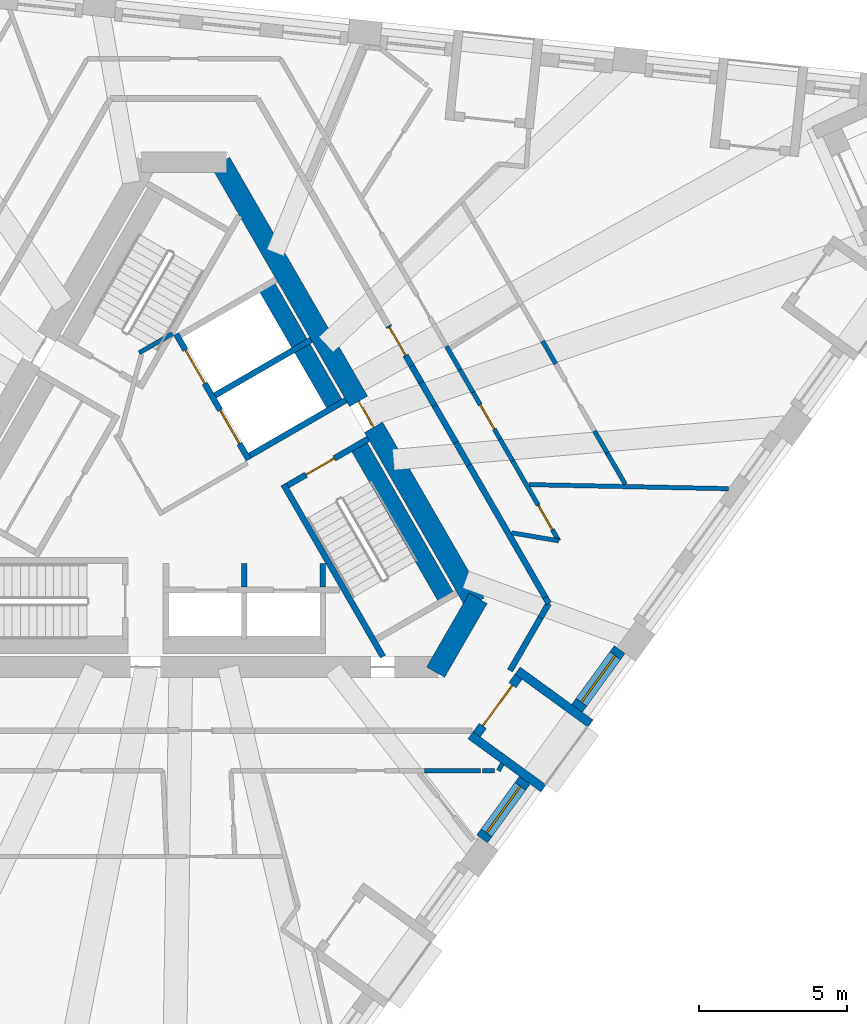
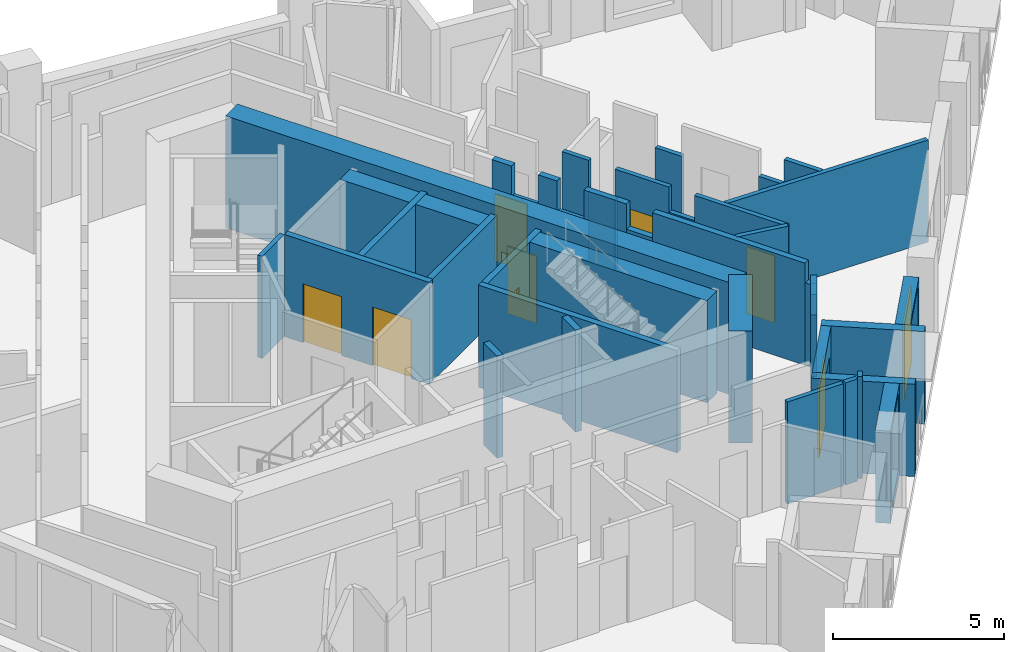
# One storey, part 5 of 11: 39 walls, 8 doors, 2 windows, 10 openings.
"""IFC4 building model written with IfcOpenShell, lengths in metres."""

from ifc_helpers import new_model, si_unit, direction, frame, frame_2d, origin, place, context, subcontext, project, spatial, polyline, rectangle, outline, extrude, material, layer, layer_set, type_object, element, fill, save


model = new_model("IFC4")

# Units and contexts
model_context = context("Model", 3, precision=1e-05, world=origin(), true_north=direction((0.0, 1.0)))
body_context = subcontext(model_context, "Body", "Model", "MODEL_VIEW")
ifc_project = project(units=[si_unit("LENGTHUNIT", "METRE"), si_unit("AREAUNIT", "SQUARE_METRE"), si_unit("VOLUMEUNIT", "CUBIC_METRE"), si_unit("PLANEANGLEUNIT", "RADIAN"), si_unit("MASSUNIT", "GRAM", prefix="KILO")], contexts=[model_context])

# Site, building, storey
site_placement = place(None, origin())
site = spatial("IfcSite", under=ifc_project, at=site_placement, CompositionType="ELEMENT")
building_placement = place(site_placement, origin())
building = spatial("IfcBuilding", under=site, at=building_placement, Name="Tramontana Tower", CompositionType="ELEMENT")
storey_placement = place(building_placement, frame((0.0, 0.0, 265.199951171875)))
storey = spatial("IfcBuildingStorey", under=building, at=storey_placement, Name="L62", CompositionType="ELEMENT", Elevation=265.199951171875)

# Wall
ifc_material_1 = material(Name="Concrete 70 MPa", Category="concrete")
ifc_layer_1 = layer(ifc_material_1, 0.699951171875)
ifc_layer_set_1 = layer_set([ifc_layer_1], Name="Core wall 700 70 MPa")
wall_type_1 = type_object("IfcWallType", Name="Core wall 700 70 MPa", PredefinedType="SHEAR", material=ifc_layer_set_1)
wall_1_placement = place(storey_placement, frame((8.50146484375, -6.574951171875, 0.0), z_axis=(0.0, 0.0, 1.0), x_axis=(0.499995765644, 0.866027848477, 0.0)))
element("IfcWall", 1, at=wall_1_placement, inside=storey, type_object=wall_type_1, Name="Core wall C4 L62", PredefinedType="SHEAR", context=body_context, shape_type="SweptSolid", body=[
    extrude(rectangle(XDim=2.88671875, YDim=0.699951171875, at=frame_2d((1.443359375, 0.0))), origin(), (0.0, 0.0, 1.0), 4.0),
])

# Wall, opening, door
wall_2_placement = place(storey_placement, frame((9.84375, -4.25, 0.0), z_axis=(0.0, 0.0, 1.0), x_axis=(-0.500003331888, 0.866023480109, 0.0)))
wall_2 = element("IfcWall", 2, at=wall_2_placement, inside=storey, type_object=wall_type_1, Name="Core wall C5 L62", PredefinedType="SHEAR", context=body_context, shape_type="SweptSolid", body=[
    extrude(rectangle(XDim=17.205078125, YDim=0.699951171875, at=frame_2d((8.6025390625, 0.0))), origin(), (0.0, 0.0, 1.0), 4.0),
])
opening_1_placement = place(wall_2_placement, frame((6.87744140625, 0.0, 0.0)))
opening_1 = element("IfcOpeningElement", 3, at=opening_1_placement, cuts=wall_2, Name="Opening RG3", PredefinedType="OPENING", context=body_context, shape_type="SweptSolid", body=[
    extrude(rectangle(XDim=1.0, YDim=2.39990234375, at=frame_2d((0.5, 1.199951171875))), frame((0.0, 0.35986328125, 0.0), z_axis=(0.0, -1.0, 0.0), x_axis=(1.0, 0.0, 0.0)), (0.0, 0.0, 1.0), 0.719970703125),
])
ifc_material_2 = material(Name="Painted steel", Category="steel")
door_type_1 = type_object("IfcDoorType", Name="RING DOOR 1000", OperationType="SINGLE_SWING_LEFT", PredefinedType="DOOR", material=ifc_material_2)
door_1_placement = place(opening_1_placement, origin())
door_1 = element("IfcDoor", 4, at=door_1_placement, inside=storey, type_object=door_type_1, Name="Door RG3", OperationType="SINGLE_SWING_RIGHT", OverallHeight=2.39990234375, OverallWidth=1.0, PredefinedType="DOOR", context=body_context, shape_type="SweptSolid", body=[
    extrude(rectangle(XDim=1.0, YDim=2.39990234375, at=frame_2d((0.5, 1.199951171875))), frame((0.0, 0.02490234375, 0.0), z_axis=(0.0, -1.0, 0.0), x_axis=(1.0, 0.0, 0.0)), (0.0, 0.0, 1.0), 0.050048828125),
])
fill(opening_1, door_1)

# Walls
ifc_material_3 = material(Name="Blockwork", Category="masonry")
ifc_layer_2 = layer(ifc_material_3, 0.199951171875)
ifc_layer_set_2 = layer_set([ifc_layer_2], Name="ENTRY WALL 200")
wall_type_2 = type_object("IfcWallType", Name="ENTRY WALL 200", PredefinedType="SOLIDWALL", material=ifc_layer_set_2)
wall_3_placement = place(storey_placement, frame((12.326416015625, -4.25, 0.0), z_axis=(0.0, 0.0, 1.0), x_axis=(-0.500000383388, -0.866025182435, 0.0)))
element("IfcWall", 5, at=wall_3_placement, inside=storey, type_object=wall_type_2, Name="Wall v62-ew0-0", PredefinedType="SOLIDWALL", context=body_context, shape_type="SweptSolid", body=[
    extrude(rectangle(XDim=0.5576171875, YDim=0.199951171875, at=frame_2d((0.27880859375, 0.0))), origin(), (0.0, 0.0, 1.0), 2.949951171875),
])
wall_4_placement = place(storey_placement, frame((12.047607421875, -4.73291015625, 0.0), z_axis=(0.0, 0.0, 1.0), x_axis=(-0.499958106649, -0.866049589571, 0.0)))
element("IfcWall", 6, at=wall_4_placement, inside=storey, type_object=wall_type_2, Name="Wall v62-ew0-1", PredefinedType="SOLIDWALL", context=body_context, shape_type="SweptSolid", body=[
    extrude(rectangle(XDim=2.062744140625, YDim=0.199951171875, at=frame_2d((1.03125, 0.0))), origin(), (0.0, 0.0, 1.0), 3.650146484375),
])

# Wall, opening, door
wall_5_placement = place(storey_placement, frame((6.914306640625, 5.124267578125, 0.0), z_axis=(0.0, 0.0, 1.0), x_axis=(0.499861922145, -0.866105108396, 0.0)))
wall_5 = element("IfcWall", 7, at=wall_5_placement, inside=storey, type_object=wall_type_2, Name="Wall v62-ew5-5", PredefinedType="SOLIDWALL", context=body_context, shape_type="SweptSolid", body=[
    extrude(outline(polyline([(0.0, 0.0), (1.56591796875, 0.0), (1.56591796875, 2.550048828125), (0.665771484375, 2.550048828125), (0.665771484375, 3.650146484375), (0.0, 3.650146484375), (0.0, 0.0)])), frame((0.0, 0.10009765625, 0.0), z_axis=(0.0, -1.0, 0.0), x_axis=(1.0, 0.0, 0.0)), (0.0, 0.0, 1.0), 0.199951171875),
])
opening_2_placement = place(wall_5_placement, frame((0.050048828125, 0.0, 0.0)))
opening_2 = element("IfcOpeningElement", 8, at=opening_2_placement, cuts=wall_5, Name="Opening B6C-20", PredefinedType="OPENING", context=body_context, shape_type="SweptSolid", body=[
    extrude(rectangle(XDim=1.10009765625, YDim=2.39990234375, at=frame_2d((0.550048828125, 1.199951171875))), frame((0.0, 0.10986328125, 0.0), z_axis=(0.0, -1.0, 0.0), x_axis=(1.0, 0.0, 0.0)), (0.0, 0.0, 1.0), 0.219970703125),
])
ifc_material_4 = material(Name="Painted timber", Category="wood")
door_type_2 = type_object("IfcDoorType", Name="DOOR ENTRY 1100", OperationType="SINGLE_SWING_LEFT", PredefinedType="DOOR", material=ifc_material_4)
door_2_placement = place(opening_2_placement, origin())
door_2 = element("IfcDoor", 9, at=door_2_placement, inside=storey, type_object=door_type_2, Name="Door B6C-20", OperationType="SINGLE_SWING_RIGHT", OverallHeight=2.39990234375, OverallWidth=1.10009765625, PredefinedType="DOOR", context=body_context, shape_type="SweptSolid", body=[
    extrude(rectangle(XDim=1.10009765625, YDim=2.39990234375, at=frame_2d((0.550048828125, 1.199951171875))), frame((0.0, 0.02490234375, 0.0), z_axis=(0.0, -1.0, 0.0), x_axis=(1.0, 0.0, 0.0)), (0.0, 0.0, 1.0), 0.050048828125),
])
fill(opening_2, door_2)

# Walls
wall_6_placement = place(storey_placement, frame((7.697021484375, 3.76806640625, 0.0), z_axis=(0.0, 0.0, 1.0), x_axis=(0.50012328804, -0.865954211699, 0.0)))
element("IfcWall", 10, at=wall_6_placement, inside=storey, type_object=wall_type_2, Name="Wall v62-ew5-6", PredefinedType="SOLIDWALL", context=body_context, shape_type="SweptSolid", body=[
    extrude(rectangle(XDim=0.632568359375, YDim=0.199951171875, at=frame_2d((0.31640625, 0.0))), origin(), (0.0, 0.0, 1.0), 3.650146484375),
])
wall_7_placement = place(storey_placement, frame((8.013427734375, 3.22021484375, 0.0), z_axis=(0.0, 0.0, 1.0), x_axis=(0.500175591747, -0.865924002104, 0.0)))
element("IfcWall", 11, at=wall_7_placement, inside=storey, type_object=wall_type_2, Name="Wall v62-ew5-7", PredefinedType="SOLIDWALL", context=body_context, shape_type="SweptSolid", body=[
    extrude(rectangle(XDim=0.917236328125, YDim=0.199951171875, at=frame_2d((0.45849609375, 0.0))), origin(), (0.0, 0.0, 1.0), 2.550048828125),
])
wall_8_placement = place(storey_placement, frame((8.47216796875, 2.426025390625, 0.0), z_axis=(0.0, 0.0, 1.0), x_axis=(0.499904796234, -0.866080362727, 0.0)))
element("IfcWall", 12, at=wall_8_placement, inside=storey, type_object=wall_type_2, Name="Wall v62-ew5-8", PredefinedType="SOLIDWALL", context=body_context, shape_type="SweptSolid", body=[
    extrude(rectangle(XDim=1.429443359375, YDim=0.199951171875, at=frame_2d((0.71484375, 0.0))), origin(), (0.0, 0.0, 1.0), 3.650146484375),
])
wall_9_placement = place(storey_placement, frame((9.186767578125, 1.18798828125, 0.0), z_axis=(0.0, 0.0, 1.0), x_axis=(0.500121072013, -0.86595549154, 0.0)))
element("IfcWall", 13, at=wall_9_placement, inside=storey, type_object=wall_type_2, Name="Wall v62-ew5-9", PredefinedType="SOLIDWALL", context=body_context, shape_type="SweptSolid", body=[
    extrude(rectangle(XDim=0.883544921875, YDim=0.199951171875, at=frame_2d((0.44189453125, 0.0))), origin(), (0.0, 0.0, 1.0), 2.75),
])
wall_10_placement = place(storey_placement, frame((9.628662109375, 0.4228515625, 0.0), z_axis=(0.0, 0.0, 1.0), x_axis=(0.499995433041, -0.866028040503, 0.0)))
element("IfcWall", 14, at=wall_10_placement, inside=storey, type_object=wall_type_2, Name="Wall v62-ew5-10", PredefinedType="SOLIDWALL", context=body_context, shape_type="SweptSolid", body=[
    extrude(rectangle(XDim=5.1611328125, YDim=0.199951171875, at=frame_2d((2.58056640625, 0.0))), origin(), (0.0, 0.0, 1.0), 3.650146484375),
])
wall_11_placement = place(storey_placement, frame((12.209228515625, -4.046875, 0.0), z_axis=(0.0, 0.0, 1.0), x_axis=(0.49972245349, -0.866185586049, 0.0)))
element("IfcWall", 15, at=wall_11_placement, inside=storey, type_object=wall_type_2, Name="Wall v62-ew5-11", PredefinedType="SOLIDWALL", context=body_context, shape_type="SweptSolid", body=[
    extrude(rectangle(XDim=0.234619140625, YDim=0.199951171875, at=frame_2d((0.1171875, 0.0))), origin(), (0.0, 0.0, 1.0), 2.949951171875),
])

# Wall, opening, window
ifc_material_5 = material(Name="Precast concrete 60 MPa", Category="concrete")
ifc_layer_3 = layer(ifc_material_5, 0.449951171875)
ifc_layer_set_3 = layer_set([ifc_layer_3], Name="Precast concrete 60 MPa, 450 mm")
wall_type_3 = type_object("IfcWallType", Name="EW1 Stone-faced precast wall 450", PredefinedType="SOLIDWALL", material=ifc_layer_set_3)
wall_12_placement = place(storey_placement, frame((10.074462890625, -12.2060546875, 0.0), z_axis=(0.0, 0.0, 1.0), x_axis=(0.587792773076, 0.809011530152, 0.0)))
wall_12 = element("IfcWall", 16, at=wall_12_placement, inside=storey, type_object=wall_type_3, Name="External wall L62 face 1 bay 3", PredefinedType="SOLIDWALL", context=body_context, shape_type="SweptSolid", body=[
    extrude(rectangle(XDim=2.4521484375, YDim=0.449951171875, at=frame_2d((1.22607421875, 0.0))), origin(), (0.0, 0.0, 1.0), 3.300048828125),
])
opening_3_placement = place(wall_12_placement, frame((0.251220703125, 0.0, 0.39990234375)))
opening_3 = element("IfcOpeningElement", 17, at=opening_3_placement, cuts=wall_12, Name="Opening M3", PredefinedType="OPENING", context=body_context, shape_type="SweptSolid", body=[
    extrude(rectangle(XDim=1.949951171875, YDim=2.75, at=frame_2d((0.97509765625, 1.375))), frame((0.0, 0.23486328125, 0.0), z_axis=(0.0, -1.0, 0.0), x_axis=(1.0, 0.0, 0.0)), (0.0, 0.0, 1.0), 0.469970703125),
])
ifc_material_6 = material(Name="Aluminum frame, double glazing unit", Category="aluminium")
window_type = type_object("IfcWindowType", Name="M3 Window 1.95 x 2.75", PartitioningType="SINGLE_PANEL", PredefinedType="WINDOW", material=ifc_material_6)
window_1_placement = place(opening_3_placement, origin())
window_1 = element("IfcWindow", 18, at=window_1_placement, inside=storey, type_object=window_type, Name="Window M3 L62 face 1 module 7", OverallHeight=2.75, OverallWidth=1.949951171875, PartitioningType="SINGLE_PANEL", PredefinedType="WINDOW", context=body_context, shape_type="SweptSolid", body=[
    extrude(rectangle(XDim=1.949951171875, YDim=2.75, at=frame_2d((0.97509765625, 1.375))), frame((0.0, 0.030029296875, 0.0), z_axis=(0.0, -1.0, 0.0), x_axis=(1.0, 0.0, 0.0)), (0.0, 0.0, 1.0), 0.06005859375),
])
fill(opening_3, window_1)

wall_13_placement = place(storey_placement, frame((13.280517578125, -7.79345703125, 0.0), z_axis=(0.0, 0.0, 1.0), x_axis=(0.587792773076, 0.809011530152, 0.0)))
wall_13 = element("IfcWall", 19, at=wall_13_placement, inside=storey, type_object=wall_type_3, Name="External wall L62 face 1 bay 3", PredefinedType="SOLIDWALL", context=body_context, shape_type="SweptSolid", body=[
    extrude(rectangle(XDim=2.4521484375, YDim=0.449951171875, at=frame_2d((1.22607421875, 0.0))), origin(), (0.0, 0.0, 1.0), 3.300048828125),
])
opening_4_placement = place(wall_13_placement, frame((0.251220703125, 0.0, 0.39990234375)))
opening_4 = element("IfcOpeningElement", 20, at=opening_4_placement, cuts=wall_13, Name="Opening M3", PredefinedType="OPENING", context=body_context, shape_type="SweptSolid", body=[
    extrude(rectangle(XDim=1.949951171875, YDim=2.75, at=frame_2d((0.97509765625, 1.375))), frame((0.0, 0.23486328125, 0.0), z_axis=(0.0, -1.0, 0.0), x_axis=(1.0, 0.0, 0.0)), (0.0, 0.0, 1.0), 0.469970703125),
])
window_2_placement = place(opening_4_placement, origin())
window_2 = element("IfcWindow", 21, at=window_2_placement, inside=storey, type_object=window_type, Name="Window M3 L62 face 1 module 9", OverallHeight=2.75, OverallWidth=1.949951171875, PartitioningType="SINGLE_PANEL", PredefinedType="WINDOW", context=body_context, shape_type="SweptSolid", body=[
    extrude(rectangle(XDim=1.949951171875, YDim=2.75, at=frame_2d((0.97509765625, 1.375))), frame((0.0, 0.030029296875, 0.0), z_axis=(0.0, -1.0, 0.0), x_axis=(1.0, 0.0, 0.0)), (0.0, 0.0, 1.0), 0.06005859375),
])
fill(opening_4, window_2)

# Wall, opening, door
ifc_material_7 = material(Name="Precast concrete 60 MPa", Category="concrete")
ifc_layer_4 = layer(ifc_material_7, 0.300048828125)
ifc_layer_set_4 = layer_set([ifc_layer_4], Name="LW1 Stone-faced loggia wall 300")
wall_type_4 = type_object("IfcWallType", Name="LW1 Stone-faced loggia wall 300", PredefinedType="SOLIDWALL", material=ifc_layer_set_4)
wall_14_placement = place(storey_placement, frame((9.89208984375, -8.671630859375, 0.0), z_axis=(0.0, 0.0, 1.0), x_axis=(0.587833242688, 0.808982125137, 0.0)))
wall_14 = element("IfcWall", 22, at=wall_14_placement, inside=storey, type_object=wall_type_4, Name="Loggia wall L62 G6S1.7", PredefinedType="SOLIDWALL", context=body_context, shape_type="SweptSolid", body=[
    extrude(rectangle(XDim=2.40234375, YDim=0.300048828125, at=frame_2d((1.201171875, 0.0))), origin(), (0.0, 0.0, 1.0), 3.300048828125),
])
opening_5_placement = place(wall_14_placement, frame((0.35107421875, 0.0, 0.0)))
opening_5 = element("IfcOpeningElement", 23, at=opening_5_placement, cuts=wall_14, Name="Opening BD-6S1-07", PredefinedType="OPENING", context=body_context, shape_type="SweptSolid", body=[
    extrude(rectangle(XDim=1.699951171875, YDim=2.5, at=frame_2d((0.85009765625, 1.25))), frame((0.0, 0.159912109375, 0.0), z_axis=(0.0, -1.0, 0.0), x_axis=(1.0, 0.0, 0.0)), (0.0, 0.0, 1.0), 0.320068359375),
])
ifc_material_8 = material(Name="Aluminum frame, double glazing unit", Category="aluminium")
door_type_3 = type_object("IfcDoorType", Name="BD3 Sliding door 1.7 x 2.5", OperationType="SLIDING_TO_LEFT", PredefinedType="DOOR", material=ifc_material_8)
door_3_placement = place(opening_5_placement, origin())
door_3 = element("IfcDoor", 24, at=door_3_placement, inside=storey, type_object=door_type_3, Name="Loggia door L62 G6S1.7", OperationType="SLIDING_TO_LEFT", OverallHeight=2.5, OverallWidth=1.699951171875, PredefinedType="DOOR", context=body_context, shape_type="SweptSolid", body=[
    extrude(rectangle(XDim=1.699951171875, YDim=2.5, at=frame_2d((0.85009765625, 1.25))), frame((0.0, 0.02490234375, 0.0), z_axis=(0.0, -1.0, 0.0), x_axis=(1.0, 0.0, 0.0)), (0.0, 0.0, 1.0), 0.050048828125),
])
fill(opening_5, door_3)

# Walls
for number, where, z_axis, x_axis, name in (
    (25, (12.150146484375, -10.49755859375, 0.0), (0.0, 0.0, 1.0), (-0.80902328748, 0.587776590479, 0.0), "Loggia return L62 G6S1.7a"),
    (26, (13.738525390625, -8.3115234375, 0.0), (0.0, 0.0, 1.0), (-0.80902328748, 0.587776590479, 0.0), "Loggia return L62 G6S1.7b"),
):
    element("IfcWall", number, at=place(storey_placement, frame(where, z_axis=z_axis, x_axis=x_axis)), inside=storey, type_object=wall_type_4, Name=name, PredefinedType="SOLIDWALL", context=body_context, shape_type="SweptSolid", body=[
        extrude(rectangle(XDim=3.050048828125, YDim=0.300048828125, at=frame_2d((1.52490234375, 0.0))), origin(), (0.0, 0.0, 1.0), 3.300048828125),
    ])
ifc_material_9 = material(Name="Gypsum board partition")
ifc_layer_5 = layer(ifc_material_9, 0.14990234375)
ifc_layer_set_5 = layer_set([ifc_layer_5], Name="PARTITION 150")
wall_type_5 = type_object("IfcWallType", Name="PARTITION 150", PredefinedType="PARTITIONING", material=ifc_layer_set_5)
wall_15_placement = place(storey_placement, frame((-1.509765625, 4.21484375, 0.0), z_axis=(0.0, 0.0, 1.0), x_axis=(0.866085525409, 0.49989585183, 0.0)))
element("IfcWall", 27, at=wall_15_placement, inside=storey, type_object=wall_type_5, Name="Wall ff-end1", PredefinedType="PARTITIONING", context=body_context, shape_type="SweptSolid", body=[
    extrude(rectangle(XDim=1.300048828125, YDim=0.14990234375, at=frame_2d((0.64990234375, 0.0))), origin(), (0.0, 0.0, 1.0), 3.650146484375),
])
wall_16_placement = place(storey_placement, frame((8.87060546875, 4.435546875, 0.0), z_axis=(0.0, 0.0, 1.0), x_axis=(0.50004290449, -0.866000631449, 0.0)))
element("IfcWall", 28, at=wall_16_placement, inside=storey, type_object=wall_type_5, Name="Wall v62-pw15-6", PredefinedType="PARTITIONING", context=body_context, shape_type="SweptSolid", body=[
    extrude(rectangle(XDim=0.9013671875, YDim=0.14990234375, at=frame_2d((0.45068359375, 0.0))), origin(), (0.0, 0.0, 1.0), 3.650146484375),
])
wall_17_placement = place(storey_placement, frame((9.3212890625, 3.655029296875, 0.0), z_axis=(0.0, 0.0, 1.0), x_axis=(0.499967368674, -0.86604424267, 0.0)))
element("IfcWall", 29, at=wall_17_placement, inside=storey, type_object=wall_type_5, Name="Wall v62-pw15-7", PredefinedType="PARTITIONING", context=body_context, shape_type="SweptSolid", body=[
    extrude(rectangle(XDim=0.8916015625, YDim=0.14990234375, at=frame_2d((0.44580078125, 0.0))), origin(), (0.0, 0.0, 1.0), 2.550048828125),
])

# Wall, opening, door
wall_18_placement = place(storey_placement, frame((9.76708984375, 2.8828125, 0.0), z_axis=(0.0, 0.0, 1.0), x_axis=(0.500054584563, -0.865993887078, 0.0)))
wall_18 = element("IfcWall", 30, at=wall_18_placement, inside=storey, type_object=wall_type_5, Name="Wall v62-pw15-8", PredefinedType="PARTITIONING", context=body_context, shape_type="SweptSolid", body=[
    extrude(rectangle(XDim=1.823974609375, YDim=0.14990234375, at=frame_2d((0.912109375, 0.0))), origin(), (0.0, 0.0, 1.0), 3.650146484375),
])
opening_6_placement = place(wall_18_placement, frame((0.4873046875, 0.0, 0.0)))
opening_6 = element("IfcOpeningElement", 31, at=opening_6_placement, cuts=wall_18, Name="Opening B6C-11", PredefinedType="OPENING", context=body_context, shape_type="SweptSolid", body=[
    extrude(rectangle(XDim=0.949951171875, YDim=2.39990234375, at=frame_2d((0.47509765625, 1.199951171875))), frame((0.0, 0.0849609375, 0.0), z_axis=(0.0, -1.0, 0.0), x_axis=(1.0, 0.0, 0.0)), (0.0, 0.0, 1.0), 0.169921875),
])
ifc_material_10 = material(Name="Painted timber", Category="wood")
door_type_4 = type_object("IfcDoorType", Name="DOOR ROOM 950", OperationType="SINGLE_SWING_LEFT", PredefinedType="DOOR", material=ifc_material_10)
door_4_placement = place(opening_6_placement, origin())
door_4 = element("IfcDoor", 32, at=door_4_placement, inside=storey, type_object=door_type_4, Name="Door B6C-11", OperationType="SINGLE_SWING_LEFT", OverallHeight=2.39990234375, OverallWidth=0.949951171875, PredefinedType="DOOR", context=body_context, shape_type="SweptSolid", body=[
    extrude(rectangle(XDim=0.949951171875, YDim=2.39990234375, at=frame_2d((0.47509765625, 1.199951171875))), frame((0.0, 0.02490234375, 0.0), z_axis=(0.0, -1.0, 0.0), x_axis=(1.0, 0.0, 0.0)), (0.0, 0.0, 1.0), 0.050048828125),
])
fill(opening_6, door_4)

# Wall
wall_19_placement = place(storey_placement, frame((10.67919921875, 1.30322265625, 0.0), z_axis=(0.0, 0.0, 1.0), x_axis=(0.500035209441, -0.86600507465, 0.0)))
element("IfcWall", 33, at=wall_19_placement, inside=storey, type_object=wall_type_5, Name="Wall v62-pw15-9", PredefinedType="PARTITIONING", context=body_context, shape_type="SweptSolid", body=[
    extrude(rectangle(XDim=0.85595703125, YDim=0.14990234375, at=frame_2d((0.427978515625, 0.0))), origin(), (0.0, 0.0, 1.0), 2.75),
])

# Wall, opening, door
wall_20_placement = place(storey_placement, frame((11.107177734375, 0.56201171875, 0.0), z_axis=(0.0, 0.0, 1.0), x_axis=(0.499966736674, -0.866044607523, 0.0)))
wall_20 = element("IfcWall", 34, at=wall_20_placement, inside=storey, type_object=wall_type_5, Name="Wall v62-pw15-10", PredefinedType="PARTITIONING", context=body_context, shape_type="SweptSolid", body=[
    extrude(rectangle(XDim=3.114501953125, YDim=0.14990234375, at=frame_2d((1.55712890625, 0.0))), origin(), (0.0, 0.0, 1.0), 3.650146484375),
])
opening_7_placement = place(wall_20_placement, frame((1.72998046875, 0.0, 0.0)))
opening_7 = element("IfcOpeningElement", 35, at=opening_7_placement, cuts=wall_20, Name="Opening B6C-13", PredefinedType="OPENING", context=body_context, shape_type="SweptSolid", body=[
    extrude(rectangle(XDim=0.949951171875, YDim=2.39990234375, at=frame_2d((0.47509765625, 1.199951171875))), frame((0.0, 0.0849609375, 0.0), z_axis=(0.0, -1.0, 0.0), x_axis=(1.0, 0.0, 0.0)), (0.0, 0.0, 1.0), 0.169921875),
])
door_5_placement = place(opening_7_placement, origin())
door_5 = element("IfcDoor", 36, at=door_5_placement, inside=storey, type_object=door_type_4, Name="Door B6C-13", OperationType="SINGLE_SWING_LEFT", OverallHeight=2.39990234375, OverallWidth=0.949951171875, PredefinedType="DOOR", context=body_context, shape_type="SweptSolid", body=[
    extrude(rectangle(XDim=0.949951171875, YDim=2.39990234375, at=frame_2d((0.47509765625, 1.199951171875))), frame((0.0, 0.02490234375, 0.0), z_axis=(0.0, -1.0, 0.0), x_axis=(1.0, 0.0, 0.0)), (0.0, 0.0, 1.0), 0.050048828125),
])
fill(opening_7, door_5)

# Walls
wall_21_placement = place(storey_placement, frame((12.1171875, 4.612548828125, 0.0), z_axis=(0.0, 0.0, 1.0), x_axis=(0.499967368674, -0.86604424267, 0.0)))
element("IfcWall", 37, at=wall_21_placement, inside=storey, type_object=wall_type_5, Name="Wall v62-pw27-4", PredefinedType="PARTITIONING", context=body_context, shape_type="SweptSolid", body=[
    extrude(rectangle(XDim=0.8916015625, YDim=0.14990234375, at=frame_2d((0.44580078125, 0.0))), origin(), (0.0, 0.0, 1.0), 2.550048828125),
])
wall_22_placement = place(storey_placement, frame((13.8701171875, 1.576416015625, 0.0), z_axis=(0.0, 0.0, 1.0), x_axis=(0.499821239653, -0.866128586522, 0.0)))
element("IfcWall", 38, at=wall_22_placement, inside=storey, type_object=wall_type_5, Name="Wall v62-pw27-6", PredefinedType="PARTITIONING", context=body_context, shape_type="SweptSolid", body=[
    extrude(rectangle(XDim=0.855712890625, YDim=0.14990234375, at=frame_2d((0.427734375, 0.0))), origin(), (0.0, 0.0, 1.0), 2.75),
])
wall_23_placement = place(storey_placement, frame((14.2978515625, 0.835205078125, 0.0), z_axis=(0.0, 0.0, 1.0), x_axis=(0.500072277755, -0.865983670182, 0.0)))
element("IfcWall", 39, at=wall_23_placement, inside=storey, type_object=wall_type_5, Name="Wall v62-pw27-7", PredefinedType="PARTITIONING", context=body_context, shape_type="SweptSolid", body=[
    extrude(rectangle(XDim=1.228271484375, YDim=0.14990234375, at=frame_2d((0.6142578125, 0.0))), origin(), (0.0, 0.0, 1.0), 3.650146484375),
])
wall_24_placement = place(storey_placement, frame((10.0224609375, -9.89990234375, 0.0), z_axis=(0.0, 0.0, 1.0), x_axis=(-1.0, 0.0, 0.0)))
element("IfcWall", 40, at=wall_24_placement, inside=storey, type_object=wall_type_5, Name="Wall v62-pw29-0", PredefinedType="PARTITIONING", context=body_context, shape_type="SweptSolid", body=[
    extrude(rectangle(XDim=1.888427734375, YDim=0.14990234375, at=frame_2d((0.9443359375, 0.0))), origin(), (0.0, 0.0, 1.0), 3.650146484375),
])
wall_25_placement = place(storey_placement, frame((10.09228515625, -9.89990234375, 0.0), z_axis=(0.0, 0.0, 1.0), x_axis=(1.0, 0.0, 0.0)))
element("IfcWall", 41, at=wall_25_placement, inside=storey, type_object=wall_type_5, Name="Wall v62-pw30", PredefinedType="PARTITIONING", context=body_context, shape_type="SweptSolid", body=[
    extrude(rectangle(XDim=0.406982421875, YDim=0.14990234375, at=frame_2d((0.20361328125, 0.0))), origin(), (0.0, 0.0, 1.0), 3.650146484375),
])
wall_26_placement = place(storey_placement, frame((10.755859375, -9.670166015625, 0.0), z_axis=(0.0, 0.0, 1.0), x_axis=(-0.499802134818, -0.866139611167, 0.0)))
element("IfcWall", 42, at=wall_26_placement, inside=storey, type_object=wall_type_5, Name="Wall v62-pw32", PredefinedType="PARTITIONING", context=body_context, shape_type="SweptSolid", body=[
    extrude(rectangle(XDim=0.26513671875, YDim=0.14990234375, at=frame_2d((0.132568359375, 0.0))), origin(), (0.0, 0.0, 1.0), 3.650146484375),
])
wall_27_placement = place(storey_placement, frame((12.664306640625, -2.13525390625, 0.0), z_axis=(0.0, 0.0, 1.0), x_axis=(-0.986070057332, 0.166330520452, 0.0)))
element("IfcWall", 43, at=wall_27_placement, inside=storey, type_object=wall_type_5, Name="Wall v62-pw35", PredefinedType="PARTITIONING", context=body_context, shape_type="SweptSolid", body=[
    extrude(rectangle(XDim=1.618896484375, YDim=0.14990234375, at=frame_2d((0.8095703125, 0.0))), origin(), (0.0, 0.0, 1.0), 3.650146484375),
])
wall_28_placement = place(storey_placement, frame((18.392333984375, -0.37451171875, 0.0), z_axis=(0.0, 0.0, 1.0), x_axis=(-0.999792677344, 0.020361786, 0.0)))
element("IfcWall", 44, at=wall_28_placement, inside=storey, type_object=wall_type_5, Name="Wall v62-pw36", PredefinedType="PARTITIONING", context=body_context, shape_type="SweptSolid", body=[
    extrude(rectangle(XDim=6.738525390625, YDim=0.14990234375, at=frame_2d((3.369140625, 0.0))), origin(), (0.0, 0.0, 1.0), 3.650146484375),
])
ifc_material_11 = material(Name="Concrete 70 MPa", Category="concrete")
ifc_layer_6 = layer(ifc_material_11, 0.60009765625)
ifc_layer_set_6 = layer_set([ifc_layer_6], Name="Concrete 70 MPa, 600 mm")
wall_type_6 = type_object("IfcWallType", Name="RC SHAFT BACK WALL 600", PredefinedType="SOLIDWALL", material=ifc_layer_set_6)
wall_29_placement = place(storey_placement, frame((8.93310546875, -4.17236328125, 0.0), z_axis=(0.0, 0.0, 1.0), x_axis=(-0.500026960575, 0.86600983753, 0.0)))
element("IfcWall", 45, at=wall_29_placement, inside=storey, type_object=wall_type_6, Name="Wall st3-back", PredefinedType="SOLIDWALL", context=body_context, shape_type="SweptSolid", body=[
    extrude(rectangle(XDim=6.199951171875, YDim=0.60009765625, at=frame_2d((3.10009765625, 0.0))), origin(), (0.0, 0.0, 1.0), 3.650146484375),
])
wall_30_placement = place(storey_placement, frame((5.177978515625, 2.331298828125, 0.0), z_axis=(0.0, 0.0, 1.0), x_axis=(-0.49998122708, 0.866036242063, 0.0)))
element("IfcWall", 46, at=wall_30_placement, inside=storey, type_object=wall_type_6, Name="Wall row2-back", PredefinedType="SOLIDWALL", context=body_context, shape_type="SweptSolid", body=[
    extrude(rectangle(XDim=4.900146484375, YDim=0.60009765625, at=frame_2d((2.4501953125, 0.0))), origin(), (0.0, 0.0, 1.0), 3.650146484375),
])
ifc_material_12 = material(Name="Concrete 70 MPa", Category="concrete")
ifc_layer_7 = layer(ifc_material_12, 0.199951171875)
ifc_layer_set_7 = layer_set([ifc_layer_7], Name="Concrete 70 MPa, 200 mm")
wall_type_7 = type_object("IfcWallType", Name="RC STAIR AND SHAFT WALL 200", PredefinedType="SOLIDWALL", material=ifc_layer_set_7)
wall_31_placement = place(storey_placement, frame((6.72607421875, -6.050048828125, 0.0), z_axis=(0.0, 0.0, 1.0), x_axis=(-0.499970804718, 0.866042259032, 0.0)))
element("IfcWall", 47, at=wall_31_placement, inside=storey, type_object=wall_type_7, Name="Wall st3-front", PredefinedType="SOLIDWALL", context=body_context, shape_type="SweptSolid", body=[
    extrude(rectangle(XDim=6.72265625, YDim=0.199951171875, at=frame_2d((3.361328125, 0.0))), origin(), (0.0, 0.0, 1.0), 3.650146484375),
])

# Wall, opening, door
wall_32_placement = place(storey_placement, frame((3.50146484375, -0.2646484375, 0.0), z_axis=(0.0, 0.0, 1.0), x_axis=(0.866035871367, 0.499981869177, 0.0)))
wall_32 = element("IfcWall", 48, at=wall_32_placement, inside=storey, type_object=wall_type_7, Name="Wall st3-near", PredefinedType="SOLIDWALL", context=body_context, shape_type="SweptSolid", body=[
    extrude(rectangle(XDim=3.14990234375, YDim=0.199951171875, at=frame_2d((1.574951171875, 0.0))), origin(), (0.0, 0.0, 1.0), 3.650146484375),
])
opening_8_placement = place(wall_32_placement, frame((0.72509765625, 0.0, 0.0)))
opening_8 = element("IfcOpeningElement", 49, at=opening_8_placement, cuts=wall_32, Name="Opening SD3", PredefinedType="OPENING", context=body_context, shape_type="SweptSolid", body=[
    extrude(rectangle(XDim=1.10009765625, YDim=2.39990234375, at=frame_2d((0.550048828125, 1.199951171875))), frame((0.0, 0.10986328125, 0.0), z_axis=(0.0, -1.0, 0.0), x_axis=(1.0, 0.0, 0.0)), (0.0, 0.0, 1.0), 0.219970703125),
])
ifc_material_13 = material(Name="Painted steel", Category="steel")
door_type_5 = type_object("IfcDoorType", Name="STAIR DOOR 1100", OperationType="SINGLE_SWING_LEFT", PredefinedType="DOOR", material=ifc_material_13)
door_6_placement = place(opening_8_placement, origin())
door_6 = element("IfcDoor", 50, at=door_6_placement, inside=storey, type_object=door_type_5, Name="Door SD3", OperationType="SINGLE_SWING_RIGHT", OverallHeight=2.39990234375, OverallWidth=1.10009765625, PredefinedType="DOOR", context=body_context, shape_type="SweptSolid", body=[
    extrude(rectangle(XDim=1.10009765625, YDim=2.39990234375, at=frame_2d((0.550048828125, 1.199951171875))), frame((0.0, 0.02490234375, 0.0), z_axis=(0.0, -1.0, 0.0), x_axis=(1.0, 0.0, 0.0)), (0.0, 0.0, 1.0), 0.050048828125),
])
fill(opening_8, door_6)

# Walls
for number, where, z_axis, x_axis, name in (
    (51, (2.0400390625, -2.89990234375, 0.0), (0.0, 0.0, 1.0), (0.0, -1.0, 0.0), "Wall row1-side1-ret"),
    (52, (4.68994140625, -2.89990234375, 0.0), (0.0, 0.0, 1.0), (0.0, -1.0, 0.0), "Wall row1-side2-ret"),
):
    element("IfcWall", number, at=place(storey_placement, frame(where, z_axis=z_axis, x_axis=x_axis)), inside=storey, type_object=wall_type_7, Name=name, PredefinedType="SOLIDWALL", context=body_context, shape_type="SweptSolid", body=[
        extrude(rectangle(XDim=0.800048828125, YDim=0.199951171875, at=frame_2d((0.39990234375, 0.0))), origin(), (0.0, 0.0, 1.0), 3.650146484375),
    ])

# Wall, openings, doors
wall_33_placement = place(storey_placement, frame((2.190185546875, 0.6064453125, 0.0), z_axis=(0.0, 0.0, 1.0), x_axis=(-0.500002801628, 0.866023786258, 0.0)))
wall_33 = element("IfcWall", 53, at=wall_33_placement, inside=storey, type_object=wall_type_7, Name="Wall row2-front", PredefinedType="SOLIDWALL", context=body_context, shape_type="SweptSolid", body=[
    extrude(rectangle(XDim=4.89990234375, YDim=0.199951171875, at=frame_2d((2.449951171875, 0.0))), origin(), (0.0, 0.0, 1.0), 3.650146484375),
])
opening_9_placement = place(wall_33_placement, frame((0.625, 0.0, 0.0)))
opening_9 = element("IfcOpeningElement", 54, at=opening_9_placement, cuts=wall_33, Name="Opening LD-F1", PredefinedType="OPENING", context=body_context, shape_type="SweptSolid", body=[
    extrude(rectangle(XDim=1.300048828125, YDim=2.10009765625, at=frame_2d((0.64990234375, 1.050048828125))), frame((0.0, 0.10986328125, 0.0), z_axis=(0.0, -1.0, 0.0), x_axis=(1.0, 0.0, 0.0)), (0.0, 0.0, 1.0), 0.219970703125),
])
opening_10_placement = place(wall_33_placement, frame((2.97509765625, 0.0, 0.0)))
opening_10 = element("IfcOpeningElement", 55, at=opening_10_placement, cuts=wall_33, Name="Opening LD-F2", PredefinedType="OPENING", context=body_context, shape_type="SweptSolid", body=[
    extrude(rectangle(XDim=1.300048828125, YDim=2.10009765625, at=frame_2d((0.64990234375, 1.050048828125))), frame((0.0, 0.10986328125, 0.0), z_axis=(0.0, -1.0, 0.0), x_axis=(1.0, 0.0, 0.0)), (0.0, 0.0, 1.0), 0.219970703125),
])
ifc_material_14 = material(Name="Brushed steel", Category="steel")
door_type_6 = type_object("IfcDoorType", Name="LANDING DOOR 1300", OperationType="SINGLE_SWING_LEFT", PredefinedType="DOOR", material=ifc_material_14)
door_7_placement = place(opening_9_placement, origin())
door_7 = element("IfcDoor", 56, at=door_7_placement, inside=storey, type_object=door_type_6, Name="Door LD-F1", OperationType="SLIDING_TO_LEFT", OverallHeight=2.10009765625, OverallWidth=1.300048828125, PredefinedType="DOOR", context=body_context, shape_type="SweptSolid", body=[
    extrude(rectangle(XDim=1.300048828125, YDim=2.10009765625, at=frame_2d((0.64990234375, 1.050048828125))), frame((0.0, 0.02490234375, 0.0), z_axis=(0.0, -1.0, 0.0), x_axis=(1.0, 0.0, 0.0)), (0.0, 0.0, 1.0), 0.050048828125),
])
fill(opening_9, door_7)
door_8_placement = place(opening_10_placement, origin())
door_8 = element("IfcDoor", 57, at=door_8_placement, inside=storey, type_object=door_type_6, Name="Door LD-F2", OperationType="SLIDING_TO_RIGHT", OverallHeight=2.10009765625, OverallWidth=1.300048828125, PredefinedType="DOOR", context=body_context, shape_type="SweptSolid", body=[
    extrude(rectangle(XDim=1.300048828125, YDim=2.10009765625, at=frame_2d((0.64990234375, 1.050048828125))), frame((0.0, 0.02490234375, 0.0), z_axis=(0.0, -1.0, 0.0), x_axis=(1.0, 0.0, 0.0)), (0.0, 0.0, 1.0), 0.050048828125),
])
fill(opening_10, door_8)

# Walls
wall_34_placement = place(storey_placement, frame((2.226806640625, 0.742919921875, 0.0), z_axis=(0.0, 0.0, 1.0), x_axis=(0.866022959057, 0.500004234368, 0.0)))
element("IfcWall", 58, at=wall_34_placement, inside=storey, type_object=wall_type_7, Name="Wall row2-side0", PredefinedType="SOLIDWALL", context=body_context, shape_type="SweptSolid", body=[
    extrude(rectangle(XDim=3.75, YDim=0.199951171875, at=frame_2d((1.875, 0.0))), origin(), (0.0, 0.0, 1.0), 3.650146484375),
])
wall_35_placement = place(storey_placement, frame((1.0517578125, 2.778076171875, 0.0), z_axis=(0.0, 0.0, 1.0), x_axis=(0.866039234136, 0.499976044363, 0.0)))
element("IfcWall", 59, at=wall_35_placement, inside=storey, type_object=wall_type_7, Name="Wall row2-side1", PredefinedType="SOLIDWALL", context=body_context, shape_type="SweptSolid", body=[
    extrude(rectangle(XDim=3.750244140625, YDim=0.199951171875, at=frame_2d((1.875, 0.0))), origin(), (0.0, 0.0, 1.0), 3.650146484375),
])

save(model, "model.ifc")
